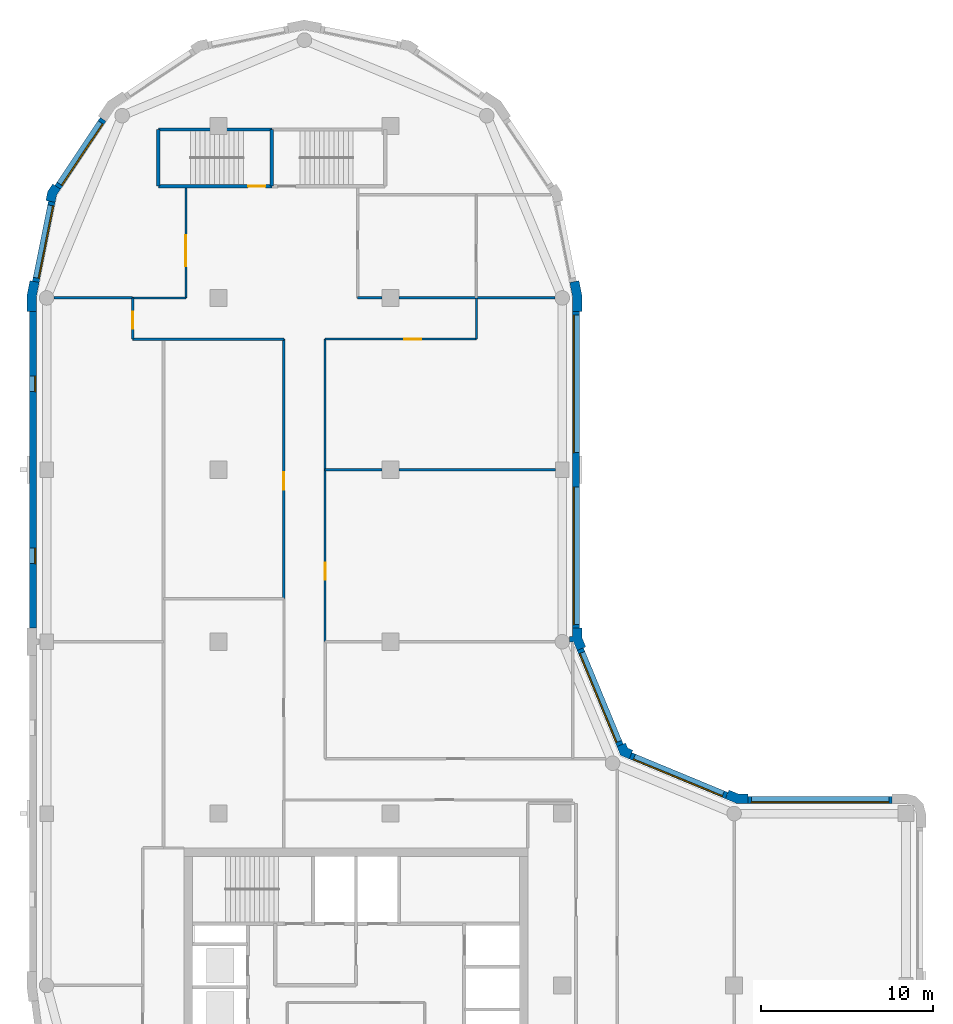
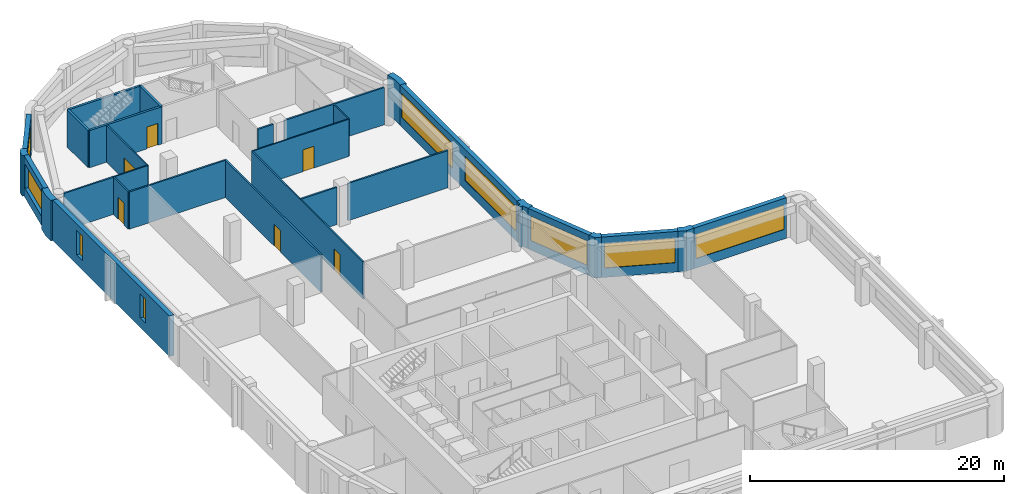
# One storey, part 5 of 9: 30 walls, 9 windows, 6 doors, 15 openings.
"""IFC4 building model written with IfcOpenShell, lengths in metres."""

import ifcopenshell
import ifcopenshell.guid

model = None  # the IFC model being written
_history = None  # IfcOwnerHistory: only IFC2X3 demands one
_inside = {}  # id of a spatial element -> (the spatial element, [elements in it])
_under = {}  # id of a project, library or spatial element -> (it, [spatial elements below it])
_declared = {}  # id of a project -> (the project, [libraries it declares])
_typed = {}  # id of a type object -> (the type object, [elements of that type])
_made_of = {}  # id of a material, layer set ... -> (it, [elements and type objects made of it])


def new_model(schema):
    """Start an empty IFC model of exactly this schema.

    Asked for "IFC4X3", IfcOpenShell would pick the latest addendum, in which some entities
    have other attributes; the version numbers below select the first issue.
    IFC2X3 requires an IfcOwnerHistory on every rooted entity: one is made here for all.
    """
    global model, _history
    if schema == "IFC4X3":
        model = ifcopenshell.file(schema_version=(4, 3, 0, 0))
    else:
        model = ifcopenshell.file(schema=schema)
    _inside.clear()
    _under.clear()
    _declared.clear()
    _typed.clear()
    _made_of.clear()
    _history = None
    if model.schema == "IFC2X3":
        org = make("IfcOrganization", Name="unknown")
        user = make(
            "IfcPersonAndOrganization",
            ThePerson=make("IfcPerson", FamilyName="unknown"),
            TheOrganization=org,
        )
        app = make(
            "IfcApplication",
            ApplicationDeveloper=org,
            Version="unknown",
            ApplicationFullName="unknown",
            ApplicationIdentifier="unknown",
        )
        _history = make(
            "IfcOwnerHistory",
            OwningUser=user,
            OwningApplication=app,
            ChangeAction="ADDED",
            CreationDate=0,
        )
    return model


def make(cls, **values):
    """One entity of the class cls with the attributes given. An attribute that is None is left unset."""
    return model.create_entity(
        cls, **{name: value for name, value in values.items() if value is not None}
    )


def rooted(cls, **values):
    """An entity with a GlobalId (a new one), such as an element, a storey or a relation."""
    return make(cls, GlobalId=ifcopenshell.guid.new(), OwnerHistory=_history, **values)


def si_unit(unit_type, name, prefix=None):
    """IfcSIUnit, for example si_unit("LENGTHUNIT", "METRE", prefix="MILLI")."""
    return make("IfcSIUnit", UnitType=unit_type, Prefix=prefix, Name=name)


def assignment(units):
    """IfcUnitAssignment: the units of a project."""
    return None if units is None else make("IfcUnitAssignment", Units=units)


def point(xyz):
    """IfcCartesianPoint."""
    return None if xyz is None else make("IfcCartesianPoint", Coordinates=xyz)


def direction(xyz):
    """IfcDirection."""
    return None if xyz is None else make("IfcDirection", DirectionRatios=xyz)


def frame(location, z_axis=None, x_axis=None):
    """IfcAxis2Placement3D, a coordinate frame: its origin and axes. An axis left out is left unset."""
    return make(
        "IfcAxis2Placement3D",
        Location=point(location),
        Axis=direction(z_axis),
        RefDirection=direction(x_axis),
    )


def frame_2d(location, x_axis=None):
    """IfcAxis2Placement2D, a coordinate frame in the plane: its origin and x axis."""
    return make(
        "IfcAxis2Placement2D", Location=point(location), RefDirection=direction(x_axis)
    )


def origin():
    """The frame at (0, 0, 0) with its axes left unset."""
    return frame((0.0, 0.0, 0.0))


def place(relative_to, where):
    """IfcLocalPlacement: puts the frame where relative to a parent placement (None: the world)."""
    return make(
        "IfcLocalPlacement", PlacementRelTo=relative_to, RelativePlacement=where
    )


def context(
    kind, dimensions, precision=None, world=None, true_north=None, identifier=None
):
    """IfcGeometricRepresentationContext, for example the 3D "Model" context."""
    return make(
        "IfcGeometricRepresentationContext",
        ContextIdentifier=identifier,
        ContextType=kind,
        CoordinateSpaceDimension=dimensions,
        Precision=precision,
        WorldCoordinateSystem=world,
        TrueNorth=true_north,
    )


def subcontext(parent, identifier, kind, view, scale=None):
    """IfcGeometricRepresentationSubContext, for example "Body" below "Model"."""
    return make(
        "IfcGeometricRepresentationSubContext",
        ContextIdentifier=identifier,
        ContextType=kind,
        ParentContext=parent,
        TargetScale=scale,
        TargetView=view,
    )


def project(units=None, contexts=None):
    """IfcProject with its units and contexts."""
    return rooted(
        "IfcProject",
        Name="project",
        RepresentationContexts=contexts,
        UnitsInContext=assignment(units),
    )


def spatial(cls, under=None, at=None, **own):
    """A site, building, storey or space (cls), placed at a placement, below another one or the project."""
    s = rooted(cls, ObjectPlacement=at, **own)
    if under is not None:
        _under.setdefault(under.id(), (under, []))[1].append(s)
    return s


def polyline(points):
    """IfcPolyline through the points."""
    return make("IfcPolyline", Points=[point(p) for p in points])


def profile(cls, at=None, kind="AREA", **sizes):
    """A parametric profile (cls). Its sizes go by their IFC names, for example OverallWidth=200.0."""
    return make(cls, ProfileType=kind, Position=at, **sizes)


def rectangle(**sizes):
    """IfcRectangleProfileDef."""
    return profile("IfcRectangleProfileDef", **sizes)


def outline(outer, holes=None, kind="AREA"):
    """IfcArbitraryClosedProfileDef: a profile drawn as a closed curve; with holes, ...WithVoids."""
    if holes is None:
        return make("IfcArbitraryClosedProfileDef", ProfileType=kind, OuterCurve=outer)
    return make(
        "IfcArbitraryProfileDefWithVoids",
        ProfileType=kind,
        OuterCurve=outer,
        InnerCurves=holes,
    )


def extrude(swept, where, along, depth):
    """IfcExtrudedAreaSolid: the profile swept, set in the frame where, extruded along a direction by depth."""
    return make(
        "IfcExtrudedAreaSolid",
        SweptArea=swept,
        Position=where,
        ExtrudedDirection=direction(along),
        Depth=depth,
    )


def shape(context_of_items, identifier, shape_type, items):
    """IfcShapeRepresentation: the items that make up one representation, for example the "Body"."""
    return make(
        "IfcShapeRepresentation",
        ContextOfItems=context_of_items,
        RepresentationIdentifier=identifier,
        RepresentationType=shape_type,
        Items=items,
    )


def material(Name=None, Category=None):
    """IfcMaterial."""
    return make("IfcMaterial", Name=Name, Category=Category)


def layer(
    of_material, thickness, ventilated=None, Name=None, Category=None, Priority=None
):
    """IfcMaterialLayer: one layer of a wall or slab, of a material (None: an air gap)."""
    return make(
        "IfcMaterialLayer",
        Material=of_material,
        LayerThickness=thickness,
        IsVentilated=ventilated,
        Name=Name,
        Category=Category,
        Priority=Priority,
    )


def layer_set(layers, Name=None):
    """IfcMaterialLayerSet."""
    return make("IfcMaterialLayerSet", MaterialLayers=layers, LayerSetName=Name)


def made_of(thing, what):
    """Note that an element or type object is made of a material, layer set ...; save() writes the relation."""
    if what is not None:
        _made_of.setdefault(what.id(), (what, []))[1].append(thing)
    return thing


def type_object(cls, material=None, **own):
    """A type object (cls), such as IfcWallType, which elements share."""
    return made_of(rooted(cls, **own), material)


def element(
    cls,
    number,
    at=None,
    inside=None,
    cuts=None,
    type_object=None,
    material=None,
    context=None,
    identifier="Body",
    shape_type=None,
    held_by="IfcProductDefinitionShape",
    body=None,
    shapes=None,
    **own,
):
    """One element of the class cls, such as IfcWall. Its Tag is "e" and its number.

    at: its placement. inside: the storey or other place that contains it. cuts: it is an
    opening in that element (IfcRelVoidsElement). A single representation is given by context,
    identifier, shape_type and body (its items); several are given by shapes. held_by: the class
    of the entity that holds the representations. save() writes the other relations.
    """
    e = rooted(cls, Tag="e%d" % number, ObjectPlacement=at, **own)
    if body is not None:
        shapes = [shape(context, identifier, shape_type, body)]
    if shapes is not None:
        e.Representation = make(held_by, Representations=shapes)
    if inside is not None:
        _inside.setdefault(inside.id(), (inside, []))[1].append(e)
    if cuts is not None:
        rooted(
            "IfcRelVoidsElement", RelatingBuildingElement=cuts, RelatedOpeningElement=e
        )
    if type_object is not None:
        _typed.setdefault(type_object.id(), (type_object, []))[1].append(e)
    return made_of(e, material)


def fill(opening, filler):
    """IfcRelFillsElement: the door or window that sits in an opening."""
    return rooted(
        "IfcRelFillsElement",
        RelatingOpeningElement=opening,
        RelatedBuildingElement=filler,
    )


def aggregate(whole, parts):
    """IfcRelAggregates: a whole, such as a stair, and the parts it consists of."""
    return rooted("IfcRelAggregates", RelatingObject=whole, RelatedObjects=parts)


def save(model, path):
    """Write the relations noted so far, then the file.

    IfcRelAggregates (storeys below a building ...), IfcRelContainedInSpatialStructure (elements
    in a storey), IfcRelDefinesByType, IfcRelAssociatesMaterial and IfcRelDeclares: one each for
    every whole, place, type object, material and project.
    """
    for whole, parts in _under.values():
        aggregate(whole, parts)
    for where, things in _inside.values():
        rooted(
            "IfcRelContainedInSpatialStructure",
            RelatedElements=things,
            RelatingStructure=where,
        )
    for kind, things in _typed.values():
        rooted("IfcRelDefinesByType", RelatedObjects=things, RelatingType=kind)
    for what, things in _made_of.values():
        rooted("IfcRelAssociatesMaterial", RelatedObjects=things, RelatingMaterial=what)
    for by, libraries in _declared.values():
        rooted("IfcRelDeclares", RelatingContext=by, RelatedDefinitions=libraries)
    model.write(path)


model = new_model("IFC4")

# Units and contexts
model_context = context("Model", 3, precision=1e-05, world=origin(), true_north=direction((0.0, 1.0)))
body_context = subcontext(model_context, "Body", "Model", "MODEL_VIEW")
ifc_project = project(units=[si_unit("LENGTHUNIT", "METRE"), si_unit("AREAUNIT", "SQUARE_METRE"), si_unit("VOLUMEUNIT", "CUBIC_METRE"), si_unit("PLANEANGLEUNIT", "RADIAN"), si_unit("MASSUNIT", "GRAM", prefix="KILO")], contexts=[model_context])

# Site, building, storey
site_placement = place(None, origin())
site = spatial("IfcSite", under=ifc_project, at=site_placement, CompositionType="ELEMENT")
building_placement = place(site_placement, origin())
building = spatial("IfcBuilding", under=site, at=building_placement, Name="Qaws Garden Tower", CompositionType="ELEMENT")
storey_placement = place(building_placement, frame((0.0, 0.0, 263.10009765625)))
storey = spatial("IfcBuildingStorey", under=building, at=storey_placement, Name="L63", CompositionType="ELEMENT", Elevation=263.10009765625)

# Wall, opening, window
ifc_material_1 = material(Name="Clay facing brick masonry", Category="masonry")
ifc_layer_1 = layer(ifc_material_1, 0.39990234375)
ifc_layer_set_1 = layer_set([ifc_layer_1], Name="Clay facing brick masonry")
wall_type_1 = type_object("IfcWallType", Name="Brick infill wall 400", PredefinedType="SOLIDWALL", material=ifc_layer_set_1)
wall_1_placement = place(storey_placement, frame((49.199951171875, 30.800048828125, 0.0), z_axis=(0.0, 0.0, 1.0), x_axis=(-1.0, 0.0, 0.0)))
wall_1 = element("IfcWall", 1, at=wall_1_placement, inside=storey, type_object=wall_type_1, Name="E-L63-infill-06", PredefinedType="SOLIDWALL", context=body_context, shape_type="SweptSolid", body=[
    extrude(rectangle(XDim=8.39990234375, YDim=0.39990234375, at=frame_2d((4.199951171875, 0.0))), origin(), (0.0, 0.0, 1.0), 3.89990234375),
])
opening_1_placement = place(wall_1_placement, frame((0.199951171875, 0.0, 0.89990234375)))
opening_1 = element("IfcOpeningElement", 2, at=opening_1_placement, cuts=wall_1, Name="Opening W01", PredefinedType="OPENING", context=body_context, shape_type="SweptSolid", body=[
    extrude(rectangle(XDim=8.0, YDim=2.35009765625, at=frame_2d((4.0, 1.175048828125))), frame((0.0, 0.2099609375, 0.0), z_axis=(0.0, -1.0, 0.0), x_axis=(1.0, 0.0, 0.0)), (0.0, 0.0, 1.0), 0.419921875),
])
ifc_material_2 = material(Name="Aluminium framed window, clear glazing", Category="aluminium")
window_type_1 = type_object("IfcWindowType", Name="Ribbon window 8000 x 2350", PartitioningType="DOUBLE_PANEL_VERTICAL", PredefinedType="WINDOW", material=ifc_material_2)
window_1_placement = place(opening_1_placement, origin())
window_1 = element("IfcWindow", 3, at=window_1_placement, inside=storey, type_object=window_type_1, Name="E-L63-window-06-0", OverallHeight=2.35009765625, OverallWidth=8.0, PartitioningType="SINGLE_PANEL", PredefinedType="WINDOW", context=body_context, shape_type="SweptSolid", body=[
    extrude(rectangle(XDim=8.0, YDim=2.35009765625, at=frame_2d((4.0, 1.175048828125))), frame((0.0, 0.159912109375, 0.0), z_axis=(0.0, -1.0, 0.0), x_axis=(1.0, 0.0, 0.0)), (0.0, 0.0, 1.0), 0.06005859375),
])
fill(opening_1, window_1)

wall_2_placement = place(storey_placement, frame((39.56689453125, 31.04541015625, 0.0), z_axis=(0.0, 0.0, 1.0), x_axis=(-0.923891000409, 0.382655745237, 0.0)))
wall_2 = element("IfcWall", 4, at=wall_2_placement, inside=storey, type_object=wall_type_1, Name="E-L63-infill-07", PredefinedType="SOLIDWALL", context=body_context, shape_type="SweptSolid", body=[
    extrude(rectangle(XDim=6.053466796875, YDim=0.39990234375, at=frame_2d((3.02685546875, 0.0))), origin(), (0.0, 0.0, 1.0), 3.89990234375),
])
opening_2_placement = place(wall_2_placement, frame((0.226806640625, 0.0, 0.89990234375)))
opening_2 = element("IfcOpeningElement", 5, at=opening_2_placement, cuts=wall_2, Name="Opening W04", PredefinedType="OPENING", context=body_context, shape_type="SweptSolid", body=[
    extrude(rectangle(XDim=5.60009765625, YDim=2.35009765625, at=frame_2d((2.800048828125, 1.175048828125))), frame((0.0, 0.2099609375, 0.0), z_axis=(0.0, -1.0, 0.0), x_axis=(1.0, 0.0, 0.0)), (0.0, 0.0, 1.0), 0.419921875),
])
ifc_material_3 = material(Name="Aluminium framed window, clear glazing", Category="aluminium")
window_type_2 = type_object("IfcWindowType", Name="Ribbon window 5600 x 2350", PartitioningType="DOUBLE_PANEL_VERTICAL", PredefinedType="WINDOW", material=ifc_material_3)
window_2_placement = place(opening_2_placement, origin())
window_2 = element("IfcWindow", 6, at=window_2_placement, inside=storey, type_object=window_type_2, Name="E-L63-window-07-0", OverallHeight=2.35009765625, OverallWidth=5.60009765625, PartitioningType="SINGLE_PANEL", PredefinedType="WINDOW", context=body_context, shape_type="SweptSolid", body=[
    extrude(rectangle(XDim=5.60009765625, YDim=2.35009765625, at=frame_2d((2.800048828125, 1.175048828125))), frame((0.0, 0.159912109375, 0.0), z_axis=(0.0, -1.0, 0.0), x_axis=(1.0, 0.0, 0.0)), (0.0, 0.0, 1.0), 0.06005859375),
])
fill(opening_2, window_2)

wall_3_placement = place(storey_placement, frame((33.36181640625, 33.97412109375, 0.0), z_axis=(0.0, 0.0, 1.0), x_axis=(-0.382655745237, 0.923891000409, 0.0)))
wall_3 = element("IfcWall", 7, at=wall_3_placement, inside=storey, type_object=wall_type_1, Name="E-L63-infill-08", PredefinedType="SOLIDWALL", context=body_context, shape_type="SweptSolid", body=[
    extrude(rectangle(XDim=6.053466796875, YDim=0.39990234375, at=frame_2d((3.02685546875, 0.0))), origin(), (0.0, 0.0, 1.0), 3.89990234375),
])
opening_3_placement = place(wall_3_placement, frame((0.226806640625, 0.0, 0.89990234375)))
opening_3 = element("IfcOpeningElement", 8, at=opening_3_placement, cuts=wall_3, Name="Opening W04", PredefinedType="OPENING", context=body_context, shape_type="SweptSolid", body=[
    extrude(rectangle(XDim=5.60009765625, YDim=2.35009765625, at=frame_2d((2.800048828125, 1.175048828125))), frame((0.0, 0.2099609375, 0.0), z_axis=(0.0, -1.0, 0.0), x_axis=(1.0, 0.0, 0.0)), (0.0, 0.0, 1.0), 0.419921875),
])
window_3_placement = place(opening_3_placement, origin())
window_3 = element("IfcWindow", 9, at=window_3_placement, inside=storey, type_object=window_type_2, Name="E-L63-window-08-0", OverallHeight=2.35009765625, OverallWidth=5.60009765625, PartitioningType="SINGLE_PANEL", PredefinedType="WINDOW", context=body_context, shape_type="SweptSolid", body=[
    extrude(rectangle(XDim=5.60009765625, YDim=2.35009765625, at=frame_2d((2.800048828125, 1.175048828125))), frame((0.0, 0.159912109375, 0.0), z_axis=(0.0, -1.0, 0.0), x_axis=(1.0, 0.0, 0.0)), (0.0, 0.0, 1.0), 0.06005859375),
])
fill(opening_3, window_3)

# Wall, openings, windows
wall_4_placement = place(storey_placement, frame((30.800048828125, 40.800048828125, 0.0), z_axis=(0.0, 0.0, 1.0), x_axis=(0.0, 1.0, 0.0)))
wall_4 = element("IfcWall", 10, at=wall_4_placement, inside=storey, type_object=wall_type_1, Name="E-L63-infill-09", PredefinedType="SOLIDWALL", context=body_context, shape_type="SweptSolid", body=[
    extrude(rectangle(XDim=18.39990234375, YDim=0.39990234375, at=frame_2d((9.199951171875, 0.0))), origin(), (0.0, 0.0, 1.0), 3.89990234375),
])
opening_4_placement = place(wall_4_placement, frame((0.199951171875, 0.0, 0.89990234375)))
opening_4 = element("IfcOpeningElement", 11, at=opening_4_placement, cuts=wall_4, Name="Opening W01", PredefinedType="OPENING", context=body_context, shape_type="SweptSolid", body=[
    extrude(rectangle(XDim=8.0, YDim=2.35009765625, at=frame_2d((4.0, 1.175048828125))), frame((0.0, 0.2099609375, 0.0), z_axis=(0.0, -1.0, 0.0), x_axis=(1.0, 0.0, 0.0)), (0.0, 0.0, 1.0), 0.419921875),
])
opening_5_placement = place(wall_4_placement, frame((10.199951171875, 0.0, 0.89990234375)))
opening_5 = element("IfcOpeningElement", 12, at=opening_5_placement, cuts=wall_4, Name="Opening W01", PredefinedType="OPENING", context=body_context, shape_type="SweptSolid", body=[
    extrude(rectangle(XDim=8.0, YDim=2.35009765625, at=frame_2d((4.0, 1.175048828125))), frame((0.0, 0.2099609375, 0.0), z_axis=(0.0, -1.0, 0.0), x_axis=(1.0, 0.0, 0.0)), (0.0, 0.0, 1.0), 0.419921875),
])
window_4_placement = place(opening_4_placement, origin())
window_4 = element("IfcWindow", 13, at=window_4_placement, inside=storey, type_object=window_type_1, Name="E-L63-window-09-0", OverallHeight=2.35009765625, OverallWidth=8.0, PartitioningType="SINGLE_PANEL", PredefinedType="WINDOW", context=body_context, shape_type="SweptSolid", body=[
    extrude(rectangle(XDim=8.0, YDim=2.35009765625, at=frame_2d((4.0, 1.175048828125))), frame((0.0, 0.159912109375, 0.0), z_axis=(0.0, -1.0, 0.0), x_axis=(1.0, 0.0, 0.0)), (0.0, 0.0, 1.0), 0.06005859375),
])
fill(opening_4, window_4)
window_5_placement = place(opening_5_placement, origin())
window_5 = element("IfcWindow", 14, at=window_5_placement, inside=storey, type_object=window_type_1, Name="E-L63-window-10-0", OverallHeight=2.35009765625, OverallWidth=8.0, PartitioningType="SINGLE_PANEL", PredefinedType="WINDOW", context=body_context, shape_type="SweptSolid", body=[
    extrude(rectangle(XDim=8.0, YDim=2.35009765625, at=frame_2d((4.0, 1.175048828125))), frame((0.0, 0.159912109375, 0.0), z_axis=(0.0, -1.0, 0.0), x_axis=(1.0, 0.0, 0.0)), (0.0, 0.0, 1.0), 0.06005859375),
])
fill(opening_5, window_5)

# Wall, opening, window
wall_5_placement = place(storey_placement, frame((3.28369140625, 70.385986328125, 0.0), z_axis=(0.0, 0.0, 1.0), x_axis=(-0.555541552266, -0.831488775454, 0.0)))
wall_5 = element("IfcWall", 15, at=wall_5_placement, inside=storey, type_object=wall_type_1, Name="E-L63-infill-17", PredefinedType="SOLIDWALL", context=body_context, shape_type="SweptSolid", body=[
    extrude(rectangle(XDim=4.752685546875, YDim=0.39990234375, at=frame_2d((2.37646484375, 0.0))), origin(), (0.0, 0.0, 1.0), 3.89990234375),
])
opening_6_placement = place(wall_5_placement, frame((0.226318359375, 0.0, 0.89990234375)))
opening_6 = element("IfcOpeningElement", 16, at=opening_6_placement, cuts=wall_5, Name="Opening W06", PredefinedType="OPENING", context=body_context, shape_type="SweptSolid", body=[
    extrude(rectangle(XDim=4.300048828125, YDim=2.35009765625, at=frame_2d((2.14990234375, 1.175048828125))), frame((0.0, 0.2099609375, 0.0), z_axis=(0.0, -1.0, 0.0), x_axis=(1.0, 0.0, 0.0)), (0.0, 0.0, 1.0), 0.419921875),
])
ifc_material_4 = material(Name="Aluminium framed window, clear glazing", Category="aluminium")
window_type_3 = type_object("IfcWindowType", Name="Ribbon window 4300 x 2350", PartitioningType="DOUBLE_PANEL_VERTICAL", PredefinedType="WINDOW", material=ifc_material_4)
window_6_placement = place(opening_6_placement, origin())
window_6 = element("IfcWindow", 17, at=window_6_placement, inside=storey, type_object=window_type_3, Name="E-L63-window-17-0", OverallHeight=2.35009765625, OverallWidth=4.300048828125, PartitioningType="SINGLE_PANEL", PredefinedType="WINDOW", context=body_context, shape_type="SweptSolid", body=[
    extrude(rectangle(XDim=4.300048828125, YDim=2.35009765625, at=frame_2d((2.14990234375, 1.175048828125))), frame((0.0, 0.159912109375, 0.0), z_axis=(0.0, -1.0, 0.0), x_axis=(1.0, 0.0, 0.0)), (0.0, 0.0, 1.0), 0.06005859375),
])
fill(opening_6, window_6)

wall_6_placement = place(storey_placement, frame((0.298583984375, 65.60205078125, 0.0), z_axis=(0.0, 0.0, 1.0), x_axis=(-0.195098533057, -0.98078364709, 0.0)))
wall_6 = element("IfcWall", 18, at=wall_6_placement, inside=storey, type_object=wall_type_1, Name="E-L63-infill-18", PredefinedType="SOLIDWALL", context=body_context, shape_type="SweptSolid", body=[
    extrude(rectangle(XDim=4.752685546875, YDim=0.39990234375, at=frame_2d((2.37646484375, 0.0))), origin(), (0.0, 0.0, 1.0), 3.89990234375),
])
opening_7_placement = place(wall_6_placement, frame((0.226318359375, 0.0, 0.89990234375)))
opening_7 = element("IfcOpeningElement", 19, at=opening_7_placement, cuts=wall_6, Name="Opening W06", PredefinedType="OPENING", context=body_context, shape_type="SweptSolid", body=[
    extrude(rectangle(XDim=4.300048828125, YDim=2.35009765625, at=frame_2d((2.14990234375, 1.175048828125))), frame((0.0, 0.2099609375, 0.0), z_axis=(0.0, -1.0, 0.0), x_axis=(1.0, 0.0, 0.0)), (0.0, 0.0, 1.0), 0.419921875),
])
window_7_placement = place(opening_7_placement, origin())
window_7 = element("IfcWindow", 20, at=window_7_placement, inside=storey, type_object=window_type_3, Name="E-L63-window-18-0", OverallHeight=2.35009765625, OverallWidth=4.300048828125, PartitioningType="SINGLE_PANEL", PredefinedType="WINDOW", context=body_context, shape_type="SweptSolid", body=[
    extrude(rectangle(XDim=4.300048828125, YDim=2.35009765625, at=frame_2d((2.14990234375, 1.175048828125))), frame((0.0, 0.159912109375, 0.0), z_axis=(0.0, -1.0, 0.0), x_axis=(1.0, 0.0, 0.0)), (0.0, 0.0, 1.0), 0.06005859375),
])
fill(opening_7, window_7)

# Wall, openings, windows
wall_7_placement = place(storey_placement, frame((-0.800048828125, 59.199951171875, 0.0), z_axis=(0.0, 0.0, 1.0), x_axis=(0.0, -1.0, 0.0)))
wall_7 = element("IfcWall", 21, at=wall_7_placement, inside=storey, type_object=wall_type_1, Name="E-L63-infill-19", PredefinedType="SOLIDWALL", context=body_context, shape_type="SweptSolid", body=[
    extrude(rectangle(XDim=18.39990234375, YDim=0.39990234375, at=frame_2d((9.199951171875, 0.0))), origin(), (0.0, 0.0, 1.0), 3.89990234375),
])
opening_8_placement = place(wall_7_placement, frame((3.75, 0.0, 0.89990234375)))
opening_8 = element("IfcOpeningElement", 22, at=opening_8_placement, cuts=wall_7, Name="Opening W09", PredefinedType="OPENING", context=body_context, shape_type="SweptSolid", body=[
    extrude(rectangle(XDim=0.89990234375, YDim=2.35009765625, at=frame_2d((0.449951171875, 1.175048828125))), frame((0.0, 0.2099609375, 0.0), z_axis=(0.0, -1.0, 0.0), x_axis=(1.0, 0.0, 0.0)), (0.0, 0.0, 1.0), 0.419921875),
])
opening_9_placement = place(wall_7_placement, frame((13.75, 0.0, 0.89990234375)))
opening_9 = element("IfcOpeningElement", 23, at=opening_9_placement, cuts=wall_7, Name="Opening W09", PredefinedType="OPENING", context=body_context, shape_type="SweptSolid", body=[
    extrude(rectangle(XDim=0.89990234375, YDim=2.35009765625, at=frame_2d((0.449951171875, 1.175048828125))), frame((0.0, 0.2099609375, 0.0), z_axis=(0.0, -1.0, 0.0), x_axis=(1.0, 0.0, 0.0)), (0.0, 0.0, 1.0), 0.419921875),
])
ifc_material_5 = material(Name="Aluminium framed window, clear glazing", Category="aluminium")
window_type_4 = type_object("IfcWindowType", Name="Slit window 900 x 2350", PartitioningType="SINGLE_PANEL", PredefinedType="WINDOW", material=ifc_material_5)
window_8_placement = place(opening_8_placement, origin())
window_8 = element("IfcWindow", 24, at=window_8_placement, inside=storey, type_object=window_type_4, Name="E-L63-window-19-0", OverallHeight=2.35009765625, OverallWidth=0.89990234375, PartitioningType="SINGLE_PANEL", PredefinedType="WINDOW", context=body_context, shape_type="SweptSolid", body=[
    extrude(rectangle(XDim=0.89990234375, YDim=2.35009765625, at=frame_2d((0.449951171875, 1.175048828125))), frame((0.0, 0.159912109375, 0.0), z_axis=(0.0, -1.0, 0.0), x_axis=(1.0, 0.0, 0.0)), (0.0, 0.0, 1.0), 0.06005859375),
])
fill(opening_8, window_8)
window_9_placement = place(opening_9_placement, origin())
window_9 = element("IfcWindow", 25, at=window_9_placement, inside=storey, type_object=window_type_4, Name="E-L63-window-20-0", OverallHeight=2.35009765625, OverallWidth=0.89990234375, PartitioningType="SINGLE_PANEL", PredefinedType="WINDOW", context=body_context, shape_type="SweptSolid", body=[
    extrude(rectangle(XDim=0.89990234375, YDim=2.35009765625, at=frame_2d((0.449951171875, 1.175048828125))), frame((0.0, 0.159912109375, 0.0), z_axis=(0.0, -1.0, 0.0), x_axis=(1.0, 0.0, 0.0)), (0.0, 0.0, 1.0), 0.06005859375),
])
fill(opening_9, window_9)

# Walls
ifc_material_6 = material(Name="Clay facing brick masonry", Category="masonry")
ifc_layer_2 = layer(ifc_material_6, 0.550048828125)
ifc_layer_set_2 = layer_set([ifc_layer_2], Name="Clay facing brick masonry")
wall_type_2 = type_object("IfcWallType", Name="Brick kink pier 550 x 600", PredefinedType="SOLIDWALL", material=ifc_layer_set_2)
placement = place(storey_placement, origin())
element("IfcWall", 26, at=placement, inside=storey, type_object=wall_type_2, Name="E-L63-pier-18", PredefinedType="SOLIDWALL", context=body_context, shape_type="SweptSolid", body=[
    extrude(outline(polyline([(0.47705078125, 66.545166015625), (0.352294921875, 66.628662109375), (0.05859375, 66.18896484375), (-0.044677734375, 65.67041015625), (0.1025390625, 65.64111328125), (0.494873046875, 65.56298828125), (0.57666015625, 65.974365234375), (0.8095703125, 66.322998046875), (0.47705078125, 66.545166015625)])), origin(), (0.0, 0.0, 1.0), 3.89990234375),
])
ifc_material_7 = material(Name="Clay facing brick masonry", Category="masonry")
ifc_layer_3 = layer(ifc_material_7, 0.550048828125)
ifc_layer_set_3 = layer_set([ifc_layer_3], Name="Clay facing brick masonry")
wall_type_3 = type_object("IfcWallType", Name="Brick pier 550 x 1600", PredefinedType="SOLIDWALL", material=ifc_layer_set_3)
element("IfcWall", 27, at=placement, inside=storey, type_object=wall_type_3, Name="E-L63-pier-07", PredefinedType="SOLIDWALL", context=body_context, shape_type="SweptSolid", body=[
    extrude(outline(polyline([(40.800048828125, 31.0), (40.800048828125, 31.14990234375), (40.228759765625, 31.14990234375), (39.700927734375, 31.36865234375), (39.6435546875, 31.22998046875), (39.490478515625, 30.860595703125), (40.119384765625, 30.60009765625), (40.800048828125, 30.60009765625), (40.800048828125, 31.0)])), origin(), (0.0, 0.0, 1.0), 3.89990234375),
])
element("IfcWall", 28, at=placement, inside=storey, type_object=wall_type_3, Name="E-L63-pier-08", PredefinedType="SOLIDWALL", context=body_context, shape_type="SweptSolid", body=[
    extrude(outline(polyline([(34.05078125, 33.546630859375), (34.108154296875, 33.685302734375), (33.80908203125, 33.80908203125), (33.685302734375, 34.108154296875), (33.546630859375, 34.05078125), (33.177001953125, 33.897705078125), (33.38818359375, 33.38818359375), (33.897705078125, 33.177001953125), (34.05078125, 33.546630859375)])), origin(), (0.0, 0.0, 1.0), 3.89990234375),
])
element("IfcWall", 29, at=placement, inside=storey, type_object=wall_type_3, Name="E-L63-pier-09", PredefinedType="SOLIDWALL", context=body_context, shape_type="SweptSolid", body=[
    extrude(outline(polyline([(30.6201171875, 39.995361328125), (30.6201171875, 40.071044921875), (30.860595703125, 39.490478515625), (31.22998046875, 39.6435546875), (31.36865234375, 39.700927734375), (31.14990234375, 40.228759765625), (31.14990234375, 40.800048828125), (31.0, 40.800048828125), (30.60009765625, 40.800048828125), (30.60009765625, 40.29541015625), (30.425048828125, 40.29541015625), (30.425048828125, 39.995361328125), (30.6201171875, 39.995361328125)])), origin(), (0.0, 0.0, 1.0), 3.89990234375),
])
element("IfcWall", 30, at=placement, inside=storey, type_object=wall_type_3, Name="E-L63-pier-11", PredefinedType="SOLIDWALL", context=body_context, shape_type="SweptSolid", body=[
    extrude(outline(polyline([(31.0, 59.199951171875), (31.14990234375, 59.199951171875), (31.14990234375, 60.11328125), (30.971923828125, 61.009033203125), (30.82470703125, 60.979736328125), (30.432373046875, 60.901611328125), (30.60009765625, 60.05908203125), (30.60009765625, 59.199951171875), (31.0, 59.199951171875)])), origin(), (0.0, 0.0, 1.0), 3.89990234375),
])
element("IfcWall", 31, at=placement, inside=storey, type_object=wall_type_3, Name="E-L63-pier-19", PredefinedType="SOLIDWALL", context=body_context, shape_type="SweptSolid", body=[
    extrude(outline(polyline([(-0.82470703125, 60.979736328125), (-0.971923828125, 61.009033203125), (-1.14990234375, 60.11328125), (-1.14990234375, 59.199951171875), (-1.0, 59.199951171875), (-0.60009765625, 59.199951171875), (-0.60009765625, 60.05908203125), (-0.432373046875, 60.901611328125), (-0.82470703125, 60.979736328125)])), origin(), (0.0, 0.0, 1.0), 3.89990234375),
])

# Wall, opening, door
ifc_material_8 = material(Name="Concrete C60", Category="concrete")
ifc_layer_4 = layer(ifc_material_8, 0.199951171875)
ifc_layer_set_4 = layer_set([ifc_layer_4], Name="Concrete C60")
wall_type_4 = type_object("IfcWallType", Name="Core shaft wall 200 C60", PredefinedType="SHEAR", material=ifc_layer_set_4)
wall_14_placement = place(storey_placement, frame((6.5, 66.5, 0.0), z_axis=(0.0, 0.0, 1.0), x_axis=(1.0, 0.0, 0.0)))
wall_14 = element("IfcWall", 32, at=wall_14_placement, inside=storey, type_object=wall_type_4, Name="Shaft wall", PredefinedType="SHEAR", context=body_context, shape_type="SweptSolid", body=[
    extrude(rectangle(XDim=6.60009765625, YDim=0.199951171875, at=frame_2d((3.300048828125, 0.0))), origin(), (0.0, 0.0, 1.0), 3.579833984375),
])
opening_10_placement = place(wall_14_placement, frame((5.22509765625, 0.0, 0.0)))
opening_10 = element("IfcOpeningElement", 33, at=opening_10_placement, cuts=wall_14, Name="Opening SD13", PredefinedType="OPENING", context=body_context, shape_type="SweptSolid", body=[
    extrude(rectangle(XDim=1.0, YDim=2.10009765625, at=frame_2d((0.5, 1.050048828125))), frame((0.0, 0.10986328125, 0.0), z_axis=(0.0, -1.0, 0.0), x_axis=(1.0, 0.0, 0.0)), (0.0, 0.0, 1.0), 0.219970703125),
])
ifc_material_9 = material(Name="Steel S235", Category="steel")
door_type_1 = type_object("IfcDoorType", Name="Stair door 1000x2100", OperationType="SINGLE_SWING_RIGHT", PredefinedType="DOOR", material=ifc_material_9)
door_1_placement = place(opening_10_placement, origin())
door_1 = element("IfcDoor", 34, at=door_1_placement, inside=storey, type_object=door_type_1, Name="Stair 6 door", OperationType="SINGLE_SWING_RIGHT", OverallHeight=2.10009765625, OverallWidth=1.0, PredefinedType="DOOR", context=body_context, shape_type="SweptSolid", body=[
    extrude(rectangle(XDim=1.0, YDim=2.10009765625, at=frame_2d((0.5, 1.050048828125))), frame((0.0, 0.02490234375, 0.0), z_axis=(0.0, -1.0, 0.0), x_axis=(1.0, 0.0, 0.0)), (0.0, 0.0, 1.0), 0.050048828125),
])
fill(opening_10, door_1)

# Walls
wall_15_placement = place(storey_placement, frame((6.5, 69.800048828125, 0.0), z_axis=(0.0, 0.0, 1.0), x_axis=(1.0, 0.0, 0.0)))
element("IfcWall", 35, at=wall_15_placement, inside=storey, type_object=wall_type_4, Name="Shaft wall", PredefinedType="SHEAR", context=body_context, shape_type="SweptSolid", body=[
    extrude(rectangle(XDim=6.60009765625, YDim=0.199951171875, at=frame_2d((3.300048828125, 0.0))), origin(), (0.0, 0.0, 1.0), 3.579833984375),
])
for number, where, z_axis, x_axis, name in (
    (36, (6.5, 66.5, 0.0), (0.0, 0.0, 1.0), (0.0, 1.0, 0.0), "Shaft wall"),
    (37, (13.10009765625, 66.5, 0.0), (0.0, 0.0, 1.0), (0.0, 1.0, 0.0), "Shaft wall"),
):
    element("IfcWall", number, at=place(storey_placement, frame(where, z_axis=z_axis, x_axis=x_axis)), inside=storey, type_object=wall_type_4, Name=name, PredefinedType="SHEAR", context=body_context, shape_type="SweptSolid", body=[
        extrude(rectangle(XDim=3.300048828125, YDim=0.199951171875, at=frame_2d((1.64990234375, 0.0))), origin(), (0.0, 0.0, 1.0), 3.579833984375),
    ])

# Wall, opening, door
ifc_material_10 = material(Name="Glass and aluminium framing", Category="aluminium")
ifc_layer_5 = layer(ifc_material_10, 0.1201171875)
ifc_layer_set_5 = layer_set([ifc_layer_5], Name="Glass and aluminium framing")
wall_type_5 = type_object("IfcWallType", Name="GLAZED PARTITION 120 EI 30", PredefinedType="PARTITIONING", material=ifc_layer_set_5)
wall_16_placement = place(storey_placement, frame((8.10009765625, 60.0, 0.0), z_axis=(0.0, 0.0, 1.0), x_axis=(0.0, 1.0, 0.0)))
wall_16 = element("IfcWall", 38, at=wall_16_placement, inside=storey, type_object=wall_type_5, Name="O-L63-wall-040", PredefinedType="PARTITIONING", context=body_context, shape_type="SweptSolid", body=[
    extrude(rectangle(XDim=6.39990234375, YDim=0.1201171875, at=frame_2d((3.199951171875, 0.0))), origin(), (0.0, 0.0, 1.0), 3.579833984375),
])
opening_11_placement = place(wall_16_placement, frame((1.85009765625, 0.0, 0.0)))
opening_11 = element("IfcOpeningElement", 39, at=opening_11_placement, cuts=wall_16, Name="Opening C208", PredefinedType="OPENING", context=body_context, shape_type="SweptSolid", body=[
    extrude(rectangle(XDim=1.800048828125, YDim=2.10009765625, at=frame_2d((0.89990234375, 1.050048828125))), frame((0.0, 0.070068359375, 0.0), z_axis=(0.0, -1.0, 0.0), x_axis=(1.0, 0.0, 0.0)), (0.0, 0.0, 1.0), 0.14013671875),
])
ifc_material_11 = material(Name="Timber door leaf", Category="wood")
door_type_2 = type_object("IfcDoorType", Name="DOUBLE DOOR 1800 X 2100", OperationType="DOUBLE_DOOR_SINGLE_SWING", PredefinedType="DOOR", material=ifc_material_11)
door_2_placement = place(opening_11_placement, origin())
door_2 = element("IfcDoor", 40, at=door_2_placement, inside=storey, type_object=door_type_2, Name="O-L63-door-008", OperationType="DOUBLE_DOOR_SINGLE_SWING", OverallHeight=2.10009765625, OverallWidth=1.800048828125, PredefinedType="DOOR", context=body_context, shape_type="SweptSolid", body=[
    extrude(rectangle(XDim=1.800048828125, YDim=2.10009765625, at=frame_2d((0.89990234375, 1.050048828125))), frame((0.0, 0.02490234375, 0.0), z_axis=(0.0, -1.0, 0.0), x_axis=(1.0, 0.0, 0.0)), (0.0, 0.0, 1.0), 0.050048828125),
])
fill(opening_11, door_2)

wall_17_placement = place(storey_placement, frame((16.199951171875, 40.0, 0.0), z_axis=(0.0, 0.0, 1.0), x_axis=(0.0, 1.0, 0.0)))
wall_17 = element("IfcWall", 41, at=wall_17_placement, inside=storey, type_object=wall_type_5, Name="O-L63-wall-042", PredefinedType="PARTITIONING", context=body_context, shape_type="SweptSolid", body=[
    extrude(rectangle(XDim=17.60009765625, YDim=0.1201171875, at=frame_2d((8.800048828125, 0.0))), origin(), (0.0, 0.0, 1.0), 3.579833984375),
])
opening_12_placement = place(wall_17_placement, frame((3.60009765625, 0.0, 0.0)))
opening_12 = element("IfcOpeningElement", 42, at=opening_12_placement, cuts=wall_17, Name="Opening C206", PredefinedType="OPENING", context=body_context, shape_type="SweptSolid", body=[
    extrude(rectangle(XDim=1.0, YDim=2.10009765625, at=frame_2d((0.5, 1.050048828125))), frame((0.0, 0.070068359375, 0.0), z_axis=(0.0, -1.0, 0.0), x_axis=(1.0, 0.0, 0.0)), (0.0, 0.0, 1.0), 0.14013671875),
])
ifc_material_12 = material(Name="Timber door leaf", Category="wood")
door_type_3 = type_object("IfcDoorType", Name="TENANCY ENTRANCE DOOR 1000 X 2100", OperationType="SINGLE_SWING_LEFT", PredefinedType="DOOR", material=ifc_material_12)
door_3_placement = place(opening_12_placement, frame((1.0, 0.0, 0.0), z_axis=(0.0, 0.0, 1.0), x_axis=(-1.0, 0.0, 0.0)))
door_3 = element("IfcDoor", 43, at=door_3_placement, inside=storey, type_object=door_type_3, Name="O-L63-door-006", OperationType="SINGLE_SWING_RIGHT", OverallHeight=2.10009765625, OverallWidth=1.0, PredefinedType="DOOR", context=body_context, shape_type="SweptSolid", body=[
    extrude(rectangle(XDim=1.0, YDim=2.10009765625, at=frame_2d((0.5, 1.050048828125))), frame((0.0, 0.02490234375, 0.0), z_axis=(0.0, -1.0, 0.0), x_axis=(1.0, 0.0, 0.0)), (0.0, 0.0, 1.0), 0.050048828125),
])
fill(opening_12, door_3)

# Wall
wall_18_placement = place(storey_placement, frame((25.0, 57.60009765625, 0.0), z_axis=(0.0, 0.0, 1.0), x_axis=(0.0, 1.0, 0.0)))
element("IfcWall", 44, at=wall_18_placement, inside=storey, type_object=wall_type_5, Name="O-L63-wall-044", PredefinedType="PARTITIONING", context=body_context, shape_type="SweptSolid", body=[
    extrude(rectangle(XDim=2.39990234375, YDim=0.1201171875, at=frame_2d((1.199951171875, 0.0))), origin(), (0.0, 0.0, 1.0), 3.579833984375),
])

# Wall, opening, door
wall_19_placement = place(storey_placement, frame((16.199951171875, 57.60009765625, 0.0), z_axis=(0.0, 0.0, 1.0), x_axis=(1.0, 0.0, 0.0)))
wall_19 = element("IfcWall", 45, at=wall_19_placement, inside=storey, type_object=wall_type_5, Name="O-L63-wall-054", PredefinedType="PARTITIONING", context=body_context, shape_type="SweptSolid", body=[
    extrude(rectangle(XDim=8.800048828125, YDim=0.1201171875, at=frame_2d((4.39990234375, 0.0))), origin(), (0.0, 0.0, 1.0), 3.579833984375),
])
opening_13_placement = place(wall_19_placement, frame((4.60009765625, 0.0, 0.0)))
opening_13 = element("IfcOpeningElement", 46, at=opening_13_placement, cuts=wall_19, Name="Opening C207", PredefinedType="OPENING", context=body_context, shape_type="SweptSolid", body=[
    extrude(rectangle(XDim=1.0, YDim=2.10009765625, at=frame_2d((0.5, 1.050048828125))), frame((0.0, 0.070068359375, 0.0), z_axis=(0.0, -1.0, 0.0), x_axis=(1.0, 0.0, 0.0)), (0.0, 0.0, 1.0), 0.14013671875),
])
door_4_placement = place(opening_13_placement, frame((1.0, 0.0, 0.0), z_axis=(0.0, 0.0, 1.0), x_axis=(-1.0, 0.0, 0.0)))
door_4 = element("IfcDoor", 47, at=door_4_placement, inside=storey, type_object=door_type_3, Name="O-L63-door-007", OperationType="SINGLE_SWING_LEFT", OverallHeight=2.10009765625, OverallWidth=1.0, PredefinedType="DOOR", context=body_context, shape_type="SweptSolid", body=[
    extrude(rectangle(XDim=1.0, YDim=2.10009765625, at=frame_2d((0.5, 1.050048828125))), frame((0.0, 0.02490234375, 0.0), z_axis=(0.0, -1.0, 0.0), x_axis=(1.0, 0.0, 0.0)), (0.0, 0.0, 1.0), 0.050048828125),
])
fill(opening_13, door_4)

# Wall
wall_20_placement = place(storey_placement, frame((5.0, 60.0, 0.0), z_axis=(0.0, 0.0, 1.0), x_axis=(1.0, 0.0, 0.0)))
element("IfcWall", 48, at=wall_20_placement, inside=storey, type_object=wall_type_5, Name="O-L63-wall-055", PredefinedType="PARTITIONING", context=body_context, shape_type="SweptSolid", body=[
    extrude(rectangle(XDim=3.10009765625, YDim=0.1201171875, at=frame_2d((1.550048828125, 0.0))), origin(), (0.0, 0.0, 1.0), 3.579833984375),
])

# Wall, opening, door
ifc_material_13 = material(Name="Gypsum board partition")
ifc_layer_6 = layer(ifc_material_13, 0.14990234375)
ifc_layer_set_6 = layer_set([ifc_layer_6], Name="Gypsum board partition")
wall_type_6 = type_object("IfcWallType", Name="PARTITION 150 EI 60", PredefinedType="PARTITIONING", material=ifc_layer_set_6)
wall_21_placement = place(storey_placement, frame((5.0, 57.60009765625, 0.0), z_axis=(0.0, 0.0, 1.0), x_axis=(0.0, 1.0, 0.0)))
wall_21 = element("IfcWall", 49, at=wall_21_placement, inside=storey, type_object=wall_type_6, Name="O-L63-wall-002", PredefinedType="PARTITIONING", context=body_context, shape_type="SweptSolid", body=[
    extrude(rectangle(XDim=2.39990234375, YDim=0.14990234375, at=frame_2d((1.199951171875, 0.0))), origin(), (0.0, 0.0, 1.0), 3.579833984375),
])
opening_14_placement = place(wall_21_placement, frame((0.60009765625, 0.0, 0.0)))
opening_14 = element("IfcOpeningElement", 50, at=opening_14_placement, cuts=wall_21, Name="Opening C204", PredefinedType="OPENING", context=body_context, shape_type="SweptSolid", body=[
    extrude(rectangle(XDim=1.0, YDim=2.10009765625, at=frame_2d((0.5, 1.050048828125))), frame((0.0, 0.0849609375, 0.0), z_axis=(0.0, -1.0, 0.0), x_axis=(1.0, 0.0, 0.0)), (0.0, 0.0, 1.0), 0.169921875),
])
door_5_placement = place(opening_14_placement, origin())
door_5 = element("IfcDoor", 51, at=door_5_placement, inside=storey, type_object=door_type_3, Name="O-L63-door-004", OperationType="SINGLE_SWING_RIGHT", OverallHeight=2.10009765625, OverallWidth=1.0, PredefinedType="DOOR", context=body_context, shape_type="SweptSolid", body=[
    extrude(rectangle(XDim=1.0, YDim=2.10009765625, at=frame_2d((0.5, 1.050048828125))), frame((0.0, 0.02490234375, 0.0), z_axis=(0.0, -1.0, 0.0), x_axis=(1.0, 0.0, 0.0)), (0.0, 0.0, 1.0), 0.050048828125),
])
fill(opening_14, door_5)

wall_22_placement = place(storey_placement, frame((13.800048828125, 42.5, 0.0), z_axis=(0.0, 0.0, 1.0), x_axis=(0.0, 1.0, 0.0)))
wall_22 = element("IfcWall", 52, at=wall_22_placement, inside=storey, type_object=wall_type_6, Name="O-L63-wall-006", PredefinedType="PARTITIONING", context=body_context, shape_type="SweptSolid", body=[
    extrude(rectangle(XDim=15.10009765625, YDim=0.14990234375, at=frame_2d((7.550048828125, 0.0))), origin(), (0.0, 0.0, 1.0), 3.579833984375),
])
opening_15_placement = place(wall_22_placement, frame((6.35009765625, 0.0, 0.0)))
opening_15 = element("IfcOpeningElement", 53, at=opening_15_placement, cuts=wall_22, Name="Opening C218", PredefinedType="OPENING", context=body_context, shape_type="SweptSolid", body=[
    extrude(rectangle(XDim=1.0, YDim=2.10009765625, at=frame_2d((0.5, 1.050048828125))), frame((0.0, 0.0849609375, 0.0), z_axis=(0.0, -1.0, 0.0), x_axis=(1.0, 0.0, 0.0)), (0.0, 0.0, 1.0), 0.169921875),
])
door_6_placement = place(opening_15_placement, origin())
door_6 = element("IfcDoor", 54, at=door_6_placement, inside=storey, type_object=door_type_3, Name="O-L63-door-018", OperationType="SINGLE_SWING_LEFT", OverallHeight=2.10009765625, OverallWidth=1.0, PredefinedType="DOOR", context=body_context, shape_type="SweptSolid", body=[
    extrude(rectangle(XDim=1.0, YDim=2.10009765625, at=frame_2d((0.5, 1.050048828125))), frame((0.0, 0.02490234375, 0.0), z_axis=(0.0, -1.0, 0.0), x_axis=(1.0, 0.0, 0.0)), (0.0, 0.0, 1.0), 0.050048828125),
])
fill(opening_15, door_6)

# Walls
wall_23_placement = place(storey_placement, frame((16.199951171875, 50.0, 0.0), z_axis=(0.0, 0.0, 1.0), x_axis=(1.0, 0.0, 0.0)))
element("IfcWall", 55, at=wall_23_placement, inside=storey, type_object=wall_type_6, Name="O-L63-wall-032", PredefinedType="PARTITIONING", context=body_context, shape_type="SweptSolid", body=[
    extrude(rectangle(XDim=3.300048828125, YDim=0.14990234375, at=frame_2d((1.64990234375, 0.0))), origin(), (0.0, 0.0, 1.0), 3.579833984375),
])
wall_24_placement = place(storey_placement, frame((20.5, 50.0, 0.0), z_axis=(0.0, 0.0, 1.0), x_axis=(1.0, 0.0, 0.0)))
element("IfcWall", 56, at=wall_24_placement, inside=storey, type_object=wall_type_6, Name="O-L63-wall-033", PredefinedType="PARTITIONING", context=body_context, shape_type="SweptSolid", body=[
    extrude(rectangle(XDim=9.10009765625, YDim=0.14990234375, at=frame_2d((4.550048828125, 0.0))), origin(), (0.0, 0.0, 1.0), 3.579833984375),
])
wall_25_placement = place(storey_placement, frame((5.0, 57.60009765625, 0.0), z_axis=(0.0, 0.0, 1.0), x_axis=(1.0, 0.0, 0.0)))
element("IfcWall", 57, at=wall_25_placement, inside=storey, type_object=wall_type_6, Name="O-L63-wall-034", PredefinedType="PARTITIONING", context=body_context, shape_type="SweptSolid", body=[
    extrude(rectangle(XDim=8.800048828125, YDim=0.14990234375, at=frame_2d((4.39990234375, 0.0))), origin(), (0.0, 0.0, 1.0), 3.579833984375),
])
wall_26_placement = place(storey_placement, frame((0.425048828125, 60.0, 0.0), z_axis=(0.0, 0.0, 1.0), x_axis=(1.0, 0.0, 0.0)))
element("IfcWall", 58, at=wall_26_placement, inside=storey, type_object=wall_type_6, Name="O-L63-wall-035", PredefinedType="PARTITIONING", context=body_context, shape_type="SweptSolid", body=[
    extrude(rectangle(XDim=4.574951171875, YDim=0.14990234375, at=frame_2d((2.28759765625, 0.0))), origin(), (0.0, 0.0, 1.0), 3.579833984375),
])
wall_27_placement = place(storey_placement, frame((18.10009765625, 60.0, 0.0), z_axis=(0.0, 0.0, 1.0), x_axis=(1.0, 0.0, 0.0)))
element("IfcWall", 59, at=wall_27_placement, inside=storey, type_object=wall_type_6, Name="O-L63-wall-036", PredefinedType="PARTITIONING", context=body_context, shape_type="SweptSolid", body=[
    extrude(rectangle(XDim=1.39990234375, YDim=0.14990234375, at=frame_2d((0.699951171875, 0.0))), origin(), (0.0, 0.0, 1.0), 3.579833984375),
])
wall_28_placement = place(storey_placement, frame((20.5, 60.0, 0.0), z_axis=(0.0, 0.0, 1.0), x_axis=(1.0, 0.0, 0.0)))
element("IfcWall", 60, at=wall_28_placement, inside=storey, type_object=wall_type_6, Name="O-L63-wall-037", PredefinedType="PARTITIONING", context=body_context, shape_type="SweptSolid", body=[
    extrude(rectangle(XDim=9.074951171875, YDim=0.14990234375, at=frame_2d((4.53759765625, 0.0))), origin(), (0.0, 0.0, 1.0), 3.579833984375),
])

save(model, "model.ifc")
